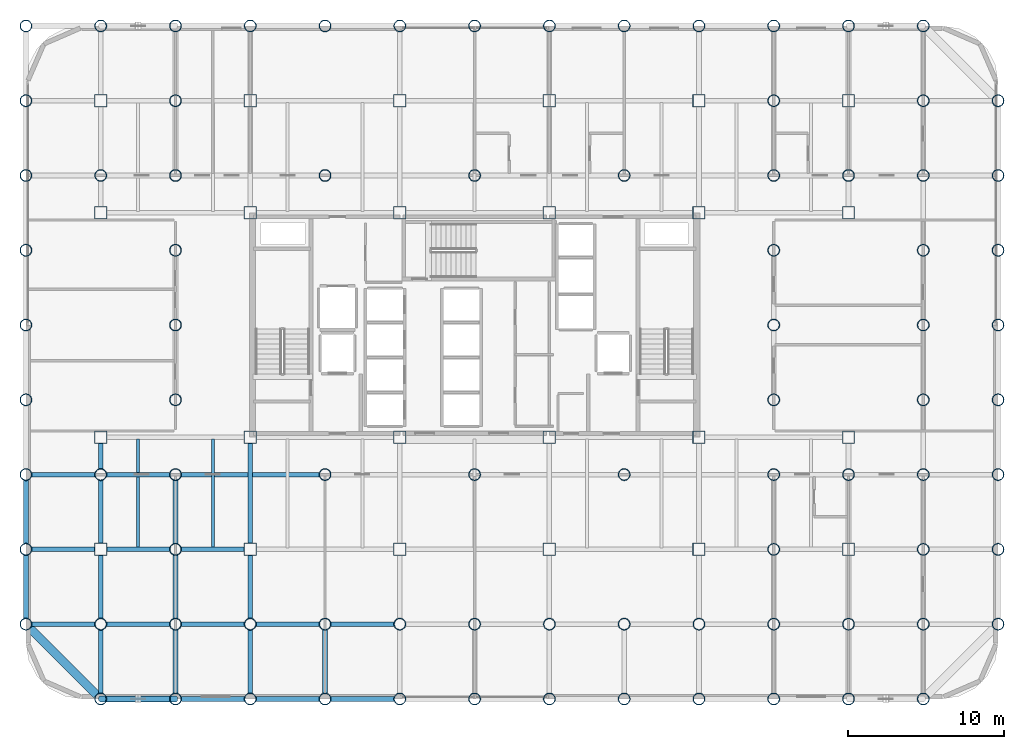
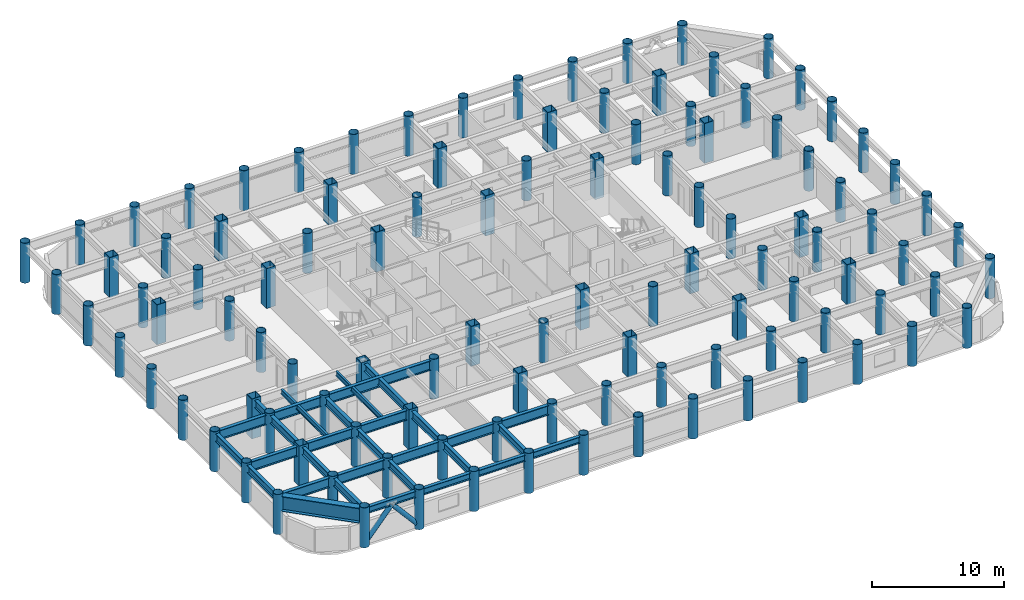
# One storey, part 1 of 19: 108 columns, 31 beams, 2 members.
"""IFC4 building model written with IfcOpenShell, lengths in metres."""

from ifc_helpers import new_model, si_unit, direction, frame, origin, origin_2d, place, context, subcontext, project, spatial, hollow_rectangle, hollow_circle, i_section, extrude, material, material_profile, profile_set, type_object, element, save


model = new_model("IFC4")

# Units and contexts
model_context = context("Model", 3, precision=1e-05, world=origin(), true_north=direction((0.0, 1.0)))
body_context = subcontext(model_context, "Body", "Model", "MODEL_VIEW")
ifc_project = project(units=[si_unit("LENGTHUNIT", "METRE"), si_unit("AREAUNIT", "SQUARE_METRE"), si_unit("VOLUMEUNIT", "CUBIC_METRE"), si_unit("PLANEANGLEUNIT", "RADIAN"), si_unit("MASSUNIT", "GRAM", prefix="KILO")], contexts=[model_context])

# Site, building, storey
site_placement = place(None, origin())
site = spatial("IfcSite", under=ifc_project, at=site_placement, CompositionType="ELEMENT")
building_placement = place(site_placement, origin())
building = spatial("IfcBuilding", under=site, at=building_placement, Name="Kallvorn Hotel Tower", CompositionType="ELEMENT")
storey_placement = place(building_placement, frame((0.0, 0.0, 67.0)))
storey = spatial("IfcBuildingStorey", under=building, at=storey_placement, Name="L15", CompositionType="ELEMENT", Elevation=67.0)

# Columns
ifc_material_1 = material(Name="Structural steel S355J2H", Category="steel")
ifc_material_profile_1 = material_profile(ifc_material_1, hollow_circle(Radius=0.381103515625, WallThickness=0.031982421875, at=origin_2d()), Name="CHS 762x32")
ifc_profile_set_1 = profile_set([ifc_material_profile_1], Name="Structural steel S355J2H")
column_type_1 = type_object("IfcColumnType", Name="COL_CHS_762", PredefinedType="COLUMN", material=ifc_profile_set_1)
for number, where, z_axis, x_axis, name in (
    (1, (-28.800048828125, -19.199951171875, 0.0), (0.0, 0.0, 1.0), (1.0, 0.0, 0.0), "L15 Exoskeleton Column EC01"),
    (2, (-28.800048828125, -14.39990234375, 0.0), (0.0, 0.0, 1.0), (1.0, 0.0, 0.0), "L15 Exoskeleton Column EC02"),
    (3, (-28.800048828125, -9.60009765625, 0.0), (0.0, 0.0, 1.0), (1.0, 0.0, 0.0), "L15 Exoskeleton Column EC03"),
    (4, (-28.800048828125, -4.800048828125, 0.0), (0.0, 0.0, 1.0), (1.0, 0.0, 0.0), "L15 Exoskeleton Column EC04"),
    (5, (-28.800048828125, 0.0, 0.0), (0.0, 0.0, 1.0), (1.0, 0.0, 0.0), "L15 Exoskeleton Column EC05"),
    (6, (-28.800048828125, 4.800048828125, 0.0), (0.0, 0.0, 1.0), (1.0, 0.0, 0.0), "L15 Exoskeleton Column EC06"),
    (7, (-28.800048828125, 9.60009765625, 0.0), (0.0, 0.0, 1.0), (1.0, 0.0, 0.0), "L15 Exoskeleton Column EC07"),
    (8, (-28.800048828125, 14.39990234375, 0.0), (0.0, 0.0, 1.0), (1.0, 0.0, 0.0), "L15 Exoskeleton Column EC08"),
    (9, (-28.800048828125, 19.199951171875, 0.0), (0.0, 0.0, 1.0), (1.0, 0.0, 0.0), "L15 Exoskeleton Column EC09"),
    (10, (-24.0, -24.0, 0.0), (0.0, 0.0, 1.0), (1.0, 0.0, 0.0), "L15 Exoskeleton Column EC10"),
    (11, (-24.0, -19.199951171875, 0.0), (0.0, 0.0, 1.0), (1.0, 0.0, 0.0), "L15 Exoskeleton Column EC11"),
    (12, (-24.0, -9.60009765625, 0.0), (0.0, 0.0, 1.0), (1.0, 0.0, 0.0), "L15 Exoskeleton Column EC12"),
    (13, (-24.0, 9.60009765625, 0.0), (0.0, 0.0, 1.0), (1.0, 0.0, 0.0), "L15 Exoskeleton Column EC13"),
    (14, (-24.0, 19.199951171875, 0.0), (0.0, 0.0, 1.0), (1.0, 0.0, 0.0), "L15 Exoskeleton Column EC14"),
    (15, (-19.199951171875, -24.0, 0.0), (0.0, 0.0, 1.0), (1.0, 0.0, 0.0), "L15 Exoskeleton Column EC15"),
    (16, (-19.199951171875, -19.199951171875, 0.0), (0.0, 0.0, 1.0), (1.0, 0.0, 0.0), "L15 Exoskeleton Column EC16"),
    (17, (-19.199951171875, -14.39990234375, 0.0), (0.0, 0.0, 1.0), (1.0, 0.0, 0.0), "L15 Exoskeleton Column EC17"),
    (18, (-19.199951171875, -9.60009765625, 0.0), (0.0, 0.0, 1.0), (1.0, 0.0, 0.0), "L15 Exoskeleton Column EC18"),
    (19, (-19.199951171875, -4.800048828125, 0.0), (0.0, 0.0, 1.0), (1.0, 0.0, 0.0), "L15 Exoskeleton Column EC19"),
    (20, (-19.199951171875, 0.0, 0.0), (0.0, 0.0, 1.0), (1.0, 0.0, 0.0), "L15 Exoskeleton Column EC20"),
    (21, (-19.199951171875, 4.800048828125, 0.0), (0.0, 0.0, 1.0), (1.0, 0.0, 0.0), "L15 Exoskeleton Column EC21"),
    (22, (-19.199951171875, 9.60009765625, 0.0), (0.0, 0.0, 1.0), (1.0, 0.0, 0.0), "L15 Exoskeleton Column EC22"),
    (23, (-19.199951171875, 14.39990234375, 0.0), (0.0, 0.0, 1.0), (1.0, 0.0, 0.0), "L15 Exoskeleton Column EC23"),
    (24, (-19.199951171875, 19.199951171875, 0.0), (0.0, 0.0, 1.0), (1.0, 0.0, 0.0), "L15 Exoskeleton Column EC24"),
    (25, (-14.39990234375, -24.0, 0.0), (0.0, 0.0, 1.0), (1.0, 0.0, 0.0), "L15 Exoskeleton Column EC25"),
    (26, (-14.39990234375, -19.199951171875, 0.0), (0.0, 0.0, 1.0), (1.0, 0.0, 0.0), "L15 Exoskeleton Column EC26"),
    (27, (-14.39990234375, 19.199951171875, 0.0), (0.0, 0.0, 1.0), (1.0, 0.0, 0.0), "L15 Exoskeleton Column EC27"),
    (28, (-9.60009765625, -24.0, 0.0), (0.0, 0.0, 1.0), (1.0, 0.0, 0.0), "L15 Exoskeleton Column EC28"),
    (29, (-9.60009765625, -19.199951171875, 0.0), (0.0, 0.0, 1.0), (1.0, 0.0, 0.0), "L15 Exoskeleton Column EC29"),
    (30, (-9.60009765625, -9.60009765625, 0.0), (0.0, 0.0, 1.0), (1.0, 0.0, 0.0), "L15 Exoskeleton Column EC30"),
    (31, (-9.60009765625, 9.60009765625, 0.0), (0.0, 0.0, 1.0), (1.0, 0.0, 0.0), "L15 Exoskeleton Column EC31"),
    (32, (-9.60009765625, 19.199951171875, 0.0), (0.0, 0.0, 1.0), (1.0, 0.0, 0.0), "L15 Exoskeleton Column EC32"),
    (33, (-4.800048828125, -24.0, 0.0), (0.0, 0.0, 1.0), (1.0, 0.0, 0.0), "L15 Exoskeleton Column EC33"),
    (34, (-4.800048828125, -19.199951171875, 0.0), (0.0, 0.0, 1.0), (1.0, 0.0, 0.0), "L15 Exoskeleton Column EC34"),
    (35, (-4.800048828125, 19.199951171875, 0.0), (0.0, 0.0, 1.0), (1.0, 0.0, 0.0), "L15 Exoskeleton Column EC35"),
    (36, (0.0, -24.0, 0.0), (0.0, 0.0, 1.0), (1.0, 0.0, 0.0), "L15 Exoskeleton Column EC36"),
    (37, (0.0, -19.199951171875, 0.0), (0.0, 0.0, 1.0), (1.0, 0.0, 0.0), "L15 Exoskeleton Column EC37"),
    (38, (0.0, -9.60009765625, 0.0), (0.0, 0.0, 1.0), (1.0, 0.0, 0.0), "L15 Exoskeleton Column EC38"),
    (39, (0.0, 9.60009765625, 0.0), (0.0, 0.0, 1.0), (1.0, 0.0, 0.0), "L15 Exoskeleton Column EC39"),
    (40, (0.0, 19.199951171875, 0.0), (0.0, 0.0, 1.0), (1.0, 0.0, 0.0), "L15 Exoskeleton Column EC40"),
    (41, (4.800048828125, -24.0, 0.0), (0.0, 0.0, 1.0), (1.0, 0.0, 0.0), "L15 Exoskeleton Column EC41"),
    (42, (4.800048828125, -19.199951171875, 0.0), (0.0, 0.0, 1.0), (1.0, 0.0, 0.0), "L15 Exoskeleton Column EC42"),
    (43, (4.800048828125, 19.199951171875, 0.0), (0.0, 0.0, 1.0), (1.0, 0.0, 0.0), "L15 Exoskeleton Column EC43"),
    (44, (9.60009765625, -24.0, 0.0), (0.0, 0.0, 1.0), (1.0, 0.0, 0.0), "L15 Exoskeleton Column EC44"),
    (45, (9.60009765625, -19.199951171875, 0.0), (0.0, 0.0, 1.0), (1.0, 0.0, 0.0), "L15 Exoskeleton Column EC45"),
    (46, (9.60009765625, -9.60009765625, 0.0), (0.0, 0.0, 1.0), (1.0, 0.0, 0.0), "L15 Exoskeleton Column EC46"),
    (47, (9.60009765625, 9.60009765625, 0.0), (0.0, 0.0, 1.0), (1.0, 0.0, 0.0), "L15 Exoskeleton Column EC47"),
    (48, (9.60009765625, 19.199951171875, 0.0), (0.0, 0.0, 1.0), (1.0, 0.0, 0.0), "L15 Exoskeleton Column EC48"),
    (49, (14.39990234375, -24.0, 0.0), (0.0, 0.0, 1.0), (1.0, 0.0, 0.0), "L15 Exoskeleton Column EC49"),
    (50, (14.39990234375, -19.199951171875, 0.0), (0.0, 0.0, 1.0), (1.0, 0.0, 0.0), "L15 Exoskeleton Column EC50"),
    (51, (14.39990234375, 19.199951171875, 0.0), (0.0, 0.0, 1.0), (1.0, 0.0, 0.0), "L15 Exoskeleton Column EC51"),
    (52, (19.199951171875, -24.0, 0.0), (0.0, 0.0, 1.0), (1.0, 0.0, 0.0), "L15 Exoskeleton Column EC52"),
    (53, (19.199951171875, -19.199951171875, 0.0), (0.0, 0.0, 1.0), (1.0, 0.0, 0.0), "L15 Exoskeleton Column EC53"),
    (54, (19.199951171875, -14.39990234375, 0.0), (0.0, 0.0, 1.0), (1.0, 0.0, 0.0), "L15 Exoskeleton Column EC54"),
    (55, (19.199951171875, -9.60009765625, 0.0), (0.0, 0.0, 1.0), (1.0, 0.0, 0.0), "L15 Exoskeleton Column EC55"),
    (56, (19.199951171875, -4.800048828125, 0.0), (0.0, 0.0, 1.0), (1.0, 0.0, 0.0), "L15 Exoskeleton Column EC56"),
    (57, (19.199951171875, 0.0, 0.0), (0.0, 0.0, 1.0), (1.0, 0.0, 0.0), "L15 Exoskeleton Column EC57"),
    (58, (19.199951171875, 4.800048828125, 0.0), (0.0, 0.0, 1.0), (1.0, 0.0, 0.0), "L15 Exoskeleton Column EC58"),
    (59, (19.199951171875, 9.60009765625, 0.0), (0.0, 0.0, 1.0), (1.0, 0.0, 0.0), "L15 Exoskeleton Column EC59"),
    (60, (19.199951171875, 14.39990234375, 0.0), (0.0, 0.0, 1.0), (1.0, 0.0, 0.0), "L15 Exoskeleton Column EC60"),
    (61, (19.199951171875, 19.199951171875, 0.0), (0.0, 0.0, 1.0), (1.0, 0.0, 0.0), "L15 Exoskeleton Column EC61"),
    (62, (24.0, -24.0, 0.0), (0.0, 0.0, 1.0), (1.0, 0.0, 0.0), "L15 Exoskeleton Column EC62"),
    (63, (24.0, -19.199951171875, 0.0), (0.0, 0.0, 1.0), (1.0, 0.0, 0.0), "L15 Exoskeleton Column EC63"),
    (64, (24.0, -9.60009765625, 0.0), (0.0, 0.0, 1.0), (1.0, 0.0, 0.0), "L15 Exoskeleton Column EC64"),
    (65, (24.0, 9.60009765625, 0.0), (0.0, 0.0, 1.0), (1.0, 0.0, 0.0), "L15 Exoskeleton Column EC65"),
    (66, (24.0, 19.199951171875, 0.0), (0.0, 0.0, 1.0), (1.0, 0.0, 0.0), "L15 Exoskeleton Column EC66"),
    (67, (28.800048828125, -24.0, 0.0), (0.0, 0.0, 1.0), (1.0, 0.0, 0.0), "L15 Exoskeleton Column EC67"),
    (68, (28.800048828125, -19.199951171875, 0.0), (0.0, 0.0, 1.0), (1.0, 0.0, 0.0), "L15 Exoskeleton Column EC68"),
    (69, (28.800048828125, -14.39990234375, 0.0), (0.0, 0.0, 1.0), (1.0, 0.0, 0.0), "L15 Exoskeleton Column EC69"),
    (70, (28.800048828125, -9.60009765625, 0.0), (0.0, 0.0, 1.0), (1.0, 0.0, 0.0), "L15 Exoskeleton Column EC70"),
    (71, (28.800048828125, -4.800048828125, 0.0), (0.0, 0.0, 1.0), (1.0, 0.0, 0.0), "L15 Exoskeleton Column EC71"),
    (72, (28.800048828125, 0.0, 0.0), (0.0, 0.0, 1.0), (1.0, 0.0, 0.0), "L15 Exoskeleton Column EC72"),
    (73, (28.800048828125, 4.800048828125, 0.0), (0.0, 0.0, 1.0), (1.0, 0.0, 0.0), "L15 Exoskeleton Column EC73"),
    (74, (28.800048828125, 9.60009765625, 0.0), (0.0, 0.0, 1.0), (1.0, 0.0, 0.0), "L15 Exoskeleton Column EC74"),
    (75, (28.800048828125, 14.39990234375, 0.0), (0.0, 0.0, 1.0), (1.0, 0.0, 0.0), "L15 Exoskeleton Column EC75"),
    (76, (28.800048828125, 19.199951171875, 0.0), (0.0, 0.0, 1.0), (1.0, 0.0, 0.0), "L15 Exoskeleton Column EC76"),
    (77, (33.60009765625, -19.199951171875, 0.0), (0.0, 0.0, 1.0), (1.0, 0.0, 0.0), "L15 Exoskeleton Column EC77"),
    (78, (33.60009765625, -14.39990234375, 0.0), (0.0, 0.0, 1.0), (1.0, 0.0, 0.0), "L15 Exoskeleton Column EC78"),
    (79, (33.60009765625, -9.60009765625, 0.0), (0.0, 0.0, 1.0), (1.0, 0.0, 0.0), "L15 Exoskeleton Column EC79"),
    (80, (33.60009765625, -4.800048828125, 0.0), (0.0, 0.0, 1.0), (1.0, 0.0, 0.0), "L15 Exoskeleton Column EC80"),
    (81, (33.60009765625, 0.0, 0.0), (0.0, 0.0, 1.0), (1.0, 0.0, 0.0), "L15 Exoskeleton Column EC81"),
    (82, (33.60009765625, 4.800048828125, 0.0), (0.0, 0.0, 1.0), (1.0, 0.0, 0.0), "L15 Exoskeleton Column EC82"),
    (83, (33.60009765625, 9.60009765625, 0.0), (0.0, 0.0, 1.0), (1.0, 0.0, 0.0), "L15 Exoskeleton Column EC83"),
    (84, (33.60009765625, 14.39990234375, 0.0), (0.0, 0.0, 1.0), (1.0, 0.0, 0.0), "L15 Exoskeleton Column EC84"),
):
    element("IfcColumn", number, at=place(storey_placement, frame(where, z_axis=z_axis, x_axis=x_axis)), inside=storey, type_object=column_type_1, Name=name, PredefinedType="COLUMN", context=body_context, shape_type="SweptSolid", body=[
        extrude(hollow_circle(Radius=0.381103515625, WallThickness=0.031982421875, at=origin_2d()), origin(), (0.0, 0.0, 1.0), 3.699951171875),
    ])
ifc_material_2 = material(Name="Structural steel S355J2H", Category="steel")
ifc_material_profile_2 = material_profile(ifc_material_2, hollow_rectangle(XDim=0.800048828125, YDim=0.800048828125, WallThickness=0.035888671875, at=origin_2d()), Name="RHS 800x800x36")
ifc_profile_set_2 = profile_set([ifc_material_profile_2], Name="Structural steel S355J2H")
column_type_2 = type_object("IfcColumnType", Name="COL_RHS_800", PredefinedType="COLUMN", material=ifc_profile_set_2)
for number, where, z_axis, x_axis, name in (
    (85, (-24.0, -14.39990234375, 0.0), (0.0, 0.0, 1.0), (1.0, 0.0, 0.0), "L15 Inner Column IC01"),
    (86, (-24.0, -7.199951171875, 0.0), (0.0, 0.0, 1.0), (1.0, 0.0, 0.0), "L15 Inner Column IC02"),
    (87, (-24.0, 7.199951171875, 0.0), (0.0, 0.0, 1.0), (1.0, 0.0, 0.0), "L15 Inner Column IC03"),
    (88, (-24.0, 14.39990234375, 0.0), (0.0, 0.0, 1.0), (1.0, 0.0, 0.0), "L15 Inner Column IC04"),
    (89, (-14.39990234375, -14.39990234375, 0.0), (0.0, 0.0, 1.0), (1.0, 0.0, 0.0), "L15 Inner Column IC05"),
    (90, (-14.39990234375, -7.199951171875, 0.0), (0.0, 0.0, 1.0), (1.0, 0.0, 0.0), "L15 Inner Column IC06"),
    (91, (-14.39990234375, 7.199951171875, 0.0), (0.0, 0.0, 1.0), (1.0, 0.0, 0.0), "L15 Inner Column IC07"),
    (92, (-14.39990234375, 14.39990234375, 0.0), (0.0, 0.0, 1.0), (1.0, 0.0, 0.0), "L15 Inner Column IC08"),
    (93, (-4.800048828125, -14.39990234375, 0.0), (0.0, 0.0, 1.0), (1.0, 0.0, 0.0), "L15 Inner Column IC09"),
    (94, (-4.800048828125, -7.199951171875, 0.0), (0.0, 0.0, 1.0), (1.0, 0.0, 0.0), "L15 Inner Column IC10"),
    (95, (-4.800048828125, 7.199951171875, 0.0), (0.0, 0.0, 1.0), (1.0, 0.0, 0.0), "L15 Inner Column IC11"),
    (96, (-4.800048828125, 14.39990234375, 0.0), (0.0, 0.0, 1.0), (1.0, 0.0, 0.0), "L15 Inner Column IC12"),
    (97, (4.800048828125, -14.39990234375, 0.0), (0.0, 0.0, 1.0), (1.0, 0.0, 0.0), "L15 Inner Column IC13"),
    (98, (4.800048828125, -7.199951171875, 0.0), (0.0, 0.0, 1.0), (1.0, 0.0, 0.0), "L15 Inner Column IC14"),
    (99, (4.800048828125, 7.199951171875, 0.0), (0.0, 0.0, 1.0), (1.0, 0.0, 0.0), "L15 Inner Column IC15"),
    (100, (4.800048828125, 14.39990234375, 0.0), (0.0, 0.0, 1.0), (1.0, 0.0, 0.0), "L15 Inner Column IC16"),
    (101, (14.39990234375, -14.39990234375, 0.0), (0.0, 0.0, 1.0), (1.0, 0.0, 0.0), "L15 Inner Column IC17"),
    (102, (14.39990234375, -7.199951171875, 0.0), (0.0, 0.0, 1.0), (1.0, 0.0, 0.0), "L15 Inner Column IC18"),
    (103, (14.39990234375, 7.199951171875, 0.0), (0.0, 0.0, 1.0), (1.0, 0.0, 0.0), "L15 Inner Column IC19"),
    (104, (14.39990234375, 14.39990234375, 0.0), (0.0, 0.0, 1.0), (1.0, 0.0, 0.0), "L15 Inner Column IC20"),
    (105, (24.0, -14.39990234375, 0.0), (0.0, 0.0, 1.0), (1.0, 0.0, 0.0), "L15 Inner Column IC21"),
    (106, (24.0, -7.199951171875, 0.0), (0.0, 0.0, 1.0), (1.0, 0.0, 0.0), "L15 Inner Column IC22"),
    (107, (24.0, 7.199951171875, 0.0), (0.0, 0.0, 1.0), (1.0, 0.0, 0.0), "L15 Inner Column IC23"),
    (108, (24.0, 14.39990234375, 0.0), (0.0, 0.0, 1.0), (1.0, 0.0, 0.0), "L15 Inner Column IC24"),
):
    element("IfcColumn", number, at=place(storey_placement, frame(where, z_axis=z_axis, x_axis=x_axis)), inside=storey, type_object=column_type_2, Name=name, PredefinedType="COLUMN", context=body_context, shape_type="SweptSolid", body=[
        extrude(hollow_rectangle(XDim=0.800048828125, YDim=0.800048828125, WallThickness=0.035888671875, at=origin_2d()), origin(), (0.0, 0.0, 1.0), 3.699951171875),
    ])

# Beams
ifc_material_3 = material(Name="Structural steel S355JR", Category="steel")
ifc_material_profile_3 = material_profile(ifc_material_3, i_section(OverallWidth=0.300048828125, OverallDepth=0.60009765625, WebThickness=0.015380859375, FlangeThickness=0.030029296875, at=origin_2d()), Name="HE 600 B")
ifc_profile_set_3 = profile_set([ifc_material_profile_3], Name="Structural steel S355JR")
beam_type_1 = type_object("IfcBeamType", Name="BM_HE600B", PredefinedType="SPANDREL", material=ifc_profile_set_3)
beam_1_placement = place(storey_placement, frame((-23.62890625, -24.0, 3.219970703125), z_axis=(1.0, 0.0, 0.0), x_axis=(0.0, 1.0, 0.0)))
element("IfcBeam", 109, at=beam_1_placement, inside=storey, type_object=beam_type_1, Name="L16 Perimeter Spandrel 151", PredefinedType="SPANDREL", context=body_context, shape_type="SweptSolid", body=[
    extrude(i_section(OverallWidth=0.300048828125, OverallDepth=0.60009765625, WebThickness=0.015380859375, FlangeThickness=0.030029296875, at=origin_2d()), origin(), (0.0, 0.0, 1.0), 4.057861328125),
])
for number, where, z_axis, x_axis, name in (
    (110, (-18.8291015625, -24.0, 3.219970703125), (1.0, 0.0, 0.0), (0.0, 1.0, 0.0), "L16 Perimeter Spandrel 152"),
    (111, (-14.029052734375, -24.0, 3.219970703125), (1.0, 0.0, 0.0), (0.0, 1.0, 0.0), "L16 Perimeter Spandrel 153"),
    (112, (-9.22900390625, -24.0, 3.219970703125), (1.0, 0.0, 0.0), (0.0, 1.0, 0.0), "L16 Perimeter Spandrel 154"),
):
    element("IfcBeam", number, at=place(storey_placement, frame(where, z_axis=z_axis, x_axis=x_axis)), inside=storey, type_object=beam_type_1, Name=name, PredefinedType="SPANDREL", context=body_context, shape_type="SweptSolid", body=[
        extrude(i_section(OverallWidth=0.300048828125, OverallDepth=0.60009765625, WebThickness=0.015380859375, FlangeThickness=0.030029296875, at=origin_2d()), origin(), (0.0, 0.0, 1.0), 4.05810546875),
    ])
ifc_material_4 = material(Name="Structural steel S355JR", Category="steel")
ifc_material_profile_4 = material_profile(ifc_material_4, i_section(OverallWidth=0.300048828125, OverallDepth=0.699951171875, WebThickness=0.01708984375, FlangeThickness=0.031982421875, at=origin_2d()), Name="HE 700 B")
ifc_profile_set_4 = profile_set([ifc_material_profile_4], Name="Structural steel S355JR")
beam_type_2 = type_object("IfcBeamType", Name="BM_HE700B", PredefinedType="BEAM", material=ifc_profile_set_4)
for number, where, z_axis, x_axis, name in (
    (113, (-28.800048828125, -18.843994140625, 3.169921875), (0.0, 1.0, 0.0), (-1.0, 0.0, 0.0), "L16 Primary Y-Girder 73"),
    (114, (-28.800048828125, -14.0439453125, 3.169921875), (0.0, 1.0, 0.0), (-1.0, 0.0, 0.0), "L16 Primary Y-Girder 74"),
):
    element("IfcBeam", number, at=place(storey_placement, frame(where, z_axis=z_axis, x_axis=x_axis)), inside=storey, type_object=beam_type_2, Name=name, PredefinedType="BEAM", context=body_context, shape_type="SweptSolid", body=[
        extrude(i_section(OverallWidth=0.300048828125, OverallDepth=0.699951171875, WebThickness=0.01708984375, FlangeThickness=0.031982421875, at=origin_2d()), origin(), (0.0, 0.0, 1.0), 4.087890625),
    ])
beam_2_placement = place(storey_placement, frame((-24.0, -23.64404296875, 3.169921875), z_axis=(0.0, 1.0, 0.0), x_axis=(-1.0, 0.0, 0.0)))
element("IfcBeam", 115, at=beam_2_placement, inside=storey, type_object=beam_type_2, Name="L16 Primary Y-Girder 81", PredefinedType="BEAM", context=body_context, shape_type="SweptSolid", body=[
    extrude(i_section(OverallWidth=0.300048828125, OverallDepth=0.699951171875, WebThickness=0.01708984375, FlangeThickness=0.031982421875, at=origin_2d()), origin(), (0.0, 0.0, 1.0), 4.088134765625),
])
beam_3_placement = place(storey_placement, frame((-24.0, -18.843994140625, 3.169921875), z_axis=(0.0, 1.0, 0.0), x_axis=(-1.0, 0.0, 0.0)))
element("IfcBeam", 116, at=beam_3_placement, inside=storey, type_object=beam_type_2, Name="L16 Primary Y-Girder 82", PredefinedType="BEAM", context=body_context, shape_type="SweptSolid", body=[
    extrude(i_section(OverallWidth=0.300048828125, OverallDepth=0.699951171875, WebThickness=0.01708984375, FlangeThickness=0.031982421875, at=origin_2d()), origin(), (0.0, 0.0, 1.0), 4.069091796875),
])
beam_4_placement = place(storey_placement, frame((-24.0, -14.02490234375, 3.169921875), z_axis=(0.0, 1.0, 0.0), x_axis=(-1.0, 0.0, 0.0)))
element("IfcBeam", 117, at=beam_4_placement, inside=storey, type_object=beam_type_2, Name="L16 Primary Y-Girder 83", PredefinedType="BEAM", context=body_context, shape_type="SweptSolid", body=[
    extrude(i_section(OverallWidth=0.300048828125, OverallDepth=0.699951171875, WebThickness=0.01708984375, FlangeThickness=0.031982421875, at=origin_2d()), origin(), (0.0, 0.0, 1.0), 4.06884765625),
])
beam_5_placement = place(storey_placement, frame((-24.0, -9.243896484375, 3.169921875), z_axis=(0.0, 1.0, 0.0), x_axis=(-1.0, 0.0, 0.0)))
element("IfcBeam", 118, at=beam_5_placement, inside=storey, type_object=beam_type_2, Name="L16 Primary Y-Girder 84", PredefinedType="BEAM", context=body_context, shape_type="SweptSolid", body=[
    extrude(i_section(OverallWidth=0.300048828125, OverallDepth=0.699951171875, WebThickness=0.01708984375, FlangeThickness=0.031982421875, at=origin_2d()), origin(), (0.0, 0.0, 1.0), 1.6689453125),
])
beam_6_placement = place(storey_placement, frame((-19.199951171875, -23.64404296875, 3.169921875), z_axis=(0.0, 1.0, 0.0), x_axis=(-1.0, 0.0, 0.0)))
element("IfcBeam", 119, at=beam_6_placement, inside=storey, type_object=beam_type_2, Name="L16 Primary Y-Girder 88", PredefinedType="BEAM", context=body_context, shape_type="SweptSolid", body=[
    extrude(i_section(OverallWidth=0.300048828125, OverallDepth=0.699951171875, WebThickness=0.01708984375, FlangeThickness=0.031982421875, at=origin_2d()), origin(), (0.0, 0.0, 1.0), 4.088134765625),
])
for number, where, z_axis, x_axis, name in (
    (120, (-19.199951171875, -18.843994140625, 3.169921875), (0.0, 1.0, 0.0), (-1.0, 0.0, 0.0), "L16 Primary Y-Girder 89"),
    (121, (-19.199951171875, -14.0439453125, 3.169921875), (0.0, 1.0, 0.0), (-1.0, 0.0, 0.0), "L16 Primary Y-Girder 90"),
):
    element("IfcBeam", number, at=place(storey_placement, frame(where, z_axis=z_axis, x_axis=x_axis)), inside=storey, type_object=beam_type_2, Name=name, PredefinedType="BEAM", context=body_context, shape_type="SweptSolid", body=[
        extrude(i_section(OverallWidth=0.300048828125, OverallDepth=0.699951171875, WebThickness=0.01708984375, FlangeThickness=0.031982421875, at=origin_2d()), origin(), (0.0, 0.0, 1.0), 4.087890625),
    ])
beam_7_placement = place(storey_placement, frame((-14.39990234375, -23.64404296875, 3.169921875), z_axis=(0.0, 1.0, 0.0), x_axis=(-1.0, 0.0, 0.0)))
element("IfcBeam", 122, at=beam_7_placement, inside=storey, type_object=beam_type_2, Name="L16 Primary Y-Girder 97", PredefinedType="BEAM", context=body_context, shape_type="SweptSolid", body=[
    extrude(i_section(OverallWidth=0.300048828125, OverallDepth=0.699951171875, WebThickness=0.01708984375, FlangeThickness=0.031982421875, at=origin_2d()), origin(), (0.0, 0.0, 1.0), 4.088134765625),
])
beam_8_placement = place(storey_placement, frame((-14.39990234375, -18.843994140625, 3.169921875), z_axis=(0.0, 1.0, 0.0), x_axis=(-1.0, 0.0, 0.0)))
element("IfcBeam", 123, at=beam_8_placement, inside=storey, type_object=beam_type_2, Name="L16 Primary Y-Girder 98", PredefinedType="BEAM", context=body_context, shape_type="SweptSolid", body=[
    extrude(i_section(OverallWidth=0.300048828125, OverallDepth=0.699951171875, WebThickness=0.01708984375, FlangeThickness=0.031982421875, at=origin_2d()), origin(), (0.0, 0.0, 1.0), 4.069091796875),
])
beam_9_placement = place(storey_placement, frame((-14.39990234375, -14.02490234375, 3.169921875), z_axis=(0.0, 1.0, 0.0), x_axis=(-1.0, 0.0, 0.0)))
element("IfcBeam", 124, at=beam_9_placement, inside=storey, type_object=beam_type_2, Name="L16 Primary Y-Girder 99", PredefinedType="BEAM", context=body_context, shape_type="SweptSolid", body=[
    extrude(i_section(OverallWidth=0.300048828125, OverallDepth=0.699951171875, WebThickness=0.01708984375, FlangeThickness=0.031982421875, at=origin_2d()), origin(), (0.0, 0.0, 1.0), 6.449951171875),
])
beam_10_placement = place(storey_placement, frame((-9.60009765625, -23.64404296875, 3.169921875), z_axis=(0.0, 1.0, 0.0), x_axis=(-1.0, 0.0, 0.0)))
element("IfcBeam", 125, at=beam_10_placement, inside=storey, type_object=beam_type_2, Name="L16 Primary Y-Girder 102", PredefinedType="BEAM", context=body_context, shape_type="SweptSolid", body=[
    extrude(i_section(OverallWidth=0.300048828125, OverallDepth=0.699951171875, WebThickness=0.01708984375, FlangeThickness=0.031982421875, at=origin_2d()), origin(), (0.0, 0.0, 1.0), 4.088134765625),
])
ifc_material_5 = material(Name="Structural steel S355JR", Category="steel")
ifc_material_profile_5 = material_profile(ifc_material_5, i_section(OverallWidth=0.300048828125, OverallDepth=0.89990234375, WebThickness=0.0185546875, FlangeThickness=0.034912109375, at=origin_2d()), Name="HE 900 B")
ifc_profile_set_5 = profile_set([ifc_material_profile_5], Name="Structural steel S355JR")
beam_type_3 = type_object("IfcBeamType", Name="BM_HE900B", PredefinedType="BEAM", material=ifc_profile_set_5)
for number, where, z_axis, x_axis, name in (
    (126, (-28.444091796875, -19.199951171875, 3.070068359375), (1.0, 0.0, 0.0), (0.0, 1.0, 0.0), "L16 Primary X-Girder 01"),
    (127, (-23.64404296875, -19.199951171875, 3.070068359375), (1.0, 0.0, 0.0), (0.0, 1.0, 0.0), "L16 Primary X-Girder 02"),
):
    element("IfcBeam", number, at=place(storey_placement, frame(where, z_axis=z_axis, x_axis=x_axis)), inside=storey, type_object=beam_type_3, Name=name, PredefinedType="BEAM", context=body_context, shape_type="SweptSolid", body=[
        extrude(i_section(OverallWidth=0.300048828125, OverallDepth=0.89990234375, WebThickness=0.0185546875, FlangeThickness=0.034912109375, at=origin_2d()), origin(), (0.0, 0.0, 1.0), 4.088134765625),
    ])
for number, where, z_axis, x_axis, name in (
    (128, (-18.843994140625, -19.199951171875, 3.070068359375), (1.0, 0.0, 0.0), (0.0, 1.0, 0.0), "L16 Primary X-Girder 03"),
    (129, (-14.0439453125, -19.199951171875, 3.070068359375), (1.0, 0.0, 0.0), (0.0, 1.0, 0.0), "L16 Primary X-Girder 04"),
    (130, (-9.243896484375, -19.199951171875, 3.070068359375), (1.0, 0.0, 0.0), (0.0, 1.0, 0.0), "L16 Primary X-Girder 05"),
):
    element("IfcBeam", number, at=place(storey_placement, frame(where, z_axis=z_axis, x_axis=x_axis)), inside=storey, type_object=beam_type_3, Name=name, PredefinedType="BEAM", context=body_context, shape_type="SweptSolid", body=[
        extrude(i_section(OverallWidth=0.300048828125, OverallDepth=0.89990234375, WebThickness=0.0185546875, FlangeThickness=0.034912109375, at=origin_2d()), origin(), (0.0, 0.0, 1.0), 4.087890625),
    ])
for number, where, z_axis, x_axis, name in (
    (131, (-28.444091796875, -14.39990234375, 3.070068359375), (1.0, 0.0, 0.0), (0.0, 1.0, 0.0), "L16 Primary X-Girder 14"),
    (132, (-23.625, -14.39990234375, 3.070068359375), (1.0, 0.0, 0.0), (0.0, 1.0, 0.0), "L16 Primary X-Girder 15"),
    (133, (-18.843994140625, -14.39990234375, 3.070068359375), (1.0, 0.0, 0.0), (0.0, 1.0, 0.0), "L16 Primary X-Girder 16"),
):
    element("IfcBeam", number, at=place(storey_placement, frame(where, z_axis=z_axis, x_axis=x_axis)), inside=storey, type_object=beam_type_3, Name=name, PredefinedType="BEAM", context=body_context, shape_type="SweptSolid", body=[
        extrude(i_section(OverallWidth=0.300048828125, OverallDepth=0.89990234375, WebThickness=0.0185546875, FlangeThickness=0.034912109375, at=origin_2d()), origin(), (0.0, 0.0, 1.0), 4.069091796875),
    ])
for number, where, z_axis, x_axis, name in (
    (134, (-28.444091796875, -9.60009765625, 3.070068359375), (1.0, 0.0, 0.0), (0.0, 1.0, 0.0), "L16 Primary X-Girder 24"),
    (135, (-23.64404296875, -9.60009765625, 3.070068359375), (1.0, 0.0, 0.0), (0.0, 1.0, 0.0), "L16 Primary X-Girder 25"),
):
    element("IfcBeam", number, at=place(storey_placement, frame(where, z_axis=z_axis, x_axis=x_axis)), inside=storey, type_object=beam_type_3, Name=name, PredefinedType="BEAM", context=body_context, shape_type="SweptSolid", body=[
        extrude(i_section(OverallWidth=0.300048828125, OverallDepth=0.89990234375, WebThickness=0.0185546875, FlangeThickness=0.034912109375, at=origin_2d()), origin(), (0.0, 0.0, 1.0), 4.088134765625),
    ])
beam_11_placement = place(storey_placement, frame((-18.843994140625, -9.60009765625, 3.070068359375), z_axis=(1.0, 0.0, 0.0), x_axis=(0.0, 1.0, 0.0)))
element("IfcBeam", 136, at=beam_11_placement, inside=storey, type_object=beam_type_3, Name="L16 Primary X-Girder 26", PredefinedType="BEAM", context=body_context, shape_type="SweptSolid", body=[
    extrude(i_section(OverallWidth=0.300048828125, OverallDepth=0.89990234375, WebThickness=0.0185546875, FlangeThickness=0.034912109375, at=origin_2d()), origin(), (0.0, 0.0, 1.0), 8.887939453125),
])
ifc_material_6 = material(Name="Structural steel S355JR", Category="steel")
ifc_material_profile_6 = material_profile(ifc_material_6, i_section(OverallWidth=0.18994140625, OverallDepth=0.449951171875, WebThickness=0.009521484375, FlangeThickness=0.0146484375, at=origin_2d()), Name="IPE 450")
ifc_profile_set_6 = profile_set([ifc_material_profile_6], Name="Structural steel S355JR")
beam_type_4 = type_object("IfcBeamType", Name="BM_IPE450", PredefinedType="JOIST", material=ifc_profile_set_6)
for number, where, z_axis, x_axis, name in (
    (137, (-21.60009765625, -14.300048828125, 3.294921875), (0.0, 1.0, 0.0), (-1.0, 0.0, 0.0), "L16 Secondary Composite Joist 192"),
    (138, (-16.800048828125, -14.300048828125, 3.294921875), (0.0, 1.0, 0.0), (-1.0, 0.0, 0.0), "L16 Secondary Composite Joist 194"),
):
    element("IfcBeam", number, at=place(storey_placement, frame(where, z_axis=z_axis, x_axis=x_axis)), inside=storey, type_object=beam_type_4, Name=name, PredefinedType="JOIST", context=body_context, shape_type="SweptSolid", body=[
        extrude(i_section(OverallWidth=0.18994140625, OverallDepth=0.449951171875, WebThickness=0.009521484375, FlangeThickness=0.0146484375, at=origin_2d()), origin(), (0.0, 0.0, 1.0), 7.0),
    ])
ifc_material_7 = material(Name="Structural steel S355JR", Category="steel")
ifc_material_profile_7 = material_profile(ifc_material_7, i_section(OverallWidth=0.550048828125, OverallDepth=1.39990234375, WebThickness=0.02490234375, FlangeThickness=0.044921875, at=origin_2d()), Name="PG 1400x550x25x45")
ifc_profile_set_7 = profile_set([ifc_material_profile_7], Name="Structural steel S355JR")
beam_type_5 = type_object("IfcBeamType", Name="BM_PG_1400", PredefinedType="BEAM", material=ifc_profile_set_7)
beam_12_placement = place(storey_placement, frame((-28.53759765625, -19.46240234375, 2.820068359375), z_axis=(0.707106781187, -0.707106781187, 0.0), x_axis=(0.707106781187, 0.707106781187, 0.0)))
element("IfcBeam", 139, at=beam_12_placement, inside=storey, type_object=beam_type_5, Name="L16 Rounded Corner Tie Beam 189", PredefinedType="BEAM", context=body_context, shape_type="SweptSolid", body=[
    extrude(i_section(OverallWidth=0.550048828125, OverallDepth=1.39990234375, WebThickness=0.02490234375, FlangeThickness=0.044921875, at=origin_2d()), origin(), (0.0, 0.0, 1.0), 6.04638671875),
])

# Members
ifc_material_8 = material(Name="Structural steel S355J2H", Category="steel")
ifc_material_profile_8 = material_profile(ifc_material_8, hollow_circle(Radius=0.203125, WallThickness=0.01611328125, at=origin_2d()), Name="CHS 406.4x16")
ifc_profile_set_8 = profile_set([ifc_material_profile_8], Name="Structural steel S355J2H")
member_type = type_object("IfcMemberType", Name="MBR_EXO_CHS406", PredefinedType="BRACE", material=ifc_profile_set_8)
for number, where, z_axis, x_axis, name in (
    (140, (-23.98681640625, -24.0, 0.195068359375), (0.65346062529, 0.0, 0.756960508346), (0.0, 1.0, 0.0), "L15 Exoskeleton K-Brace S1A"),
    (141, (-19.213134765625, -24.0, 0.195068359375), (-0.65346062529, 0.0, 0.756960508346), (0.0, -1.0, 0.0), "L15 Exoskeleton K-Brace S1B"),
):
    element("IfcMember", number, at=place(storey_placement, frame(where, z_axis=z_axis, x_axis=x_axis)), inside=storey, type_object=member_type, Name=name, PredefinedType="BRACE", context=body_context, shape_type="SweptSolid", body=[
        extrude(hollow_circle(Radius=0.203125, WallThickness=0.01611328125, at=origin_2d()), origin(), (0.0, 0.0, 1.0), 3.632568359375),
    ])

save(model, "model.ifc")
